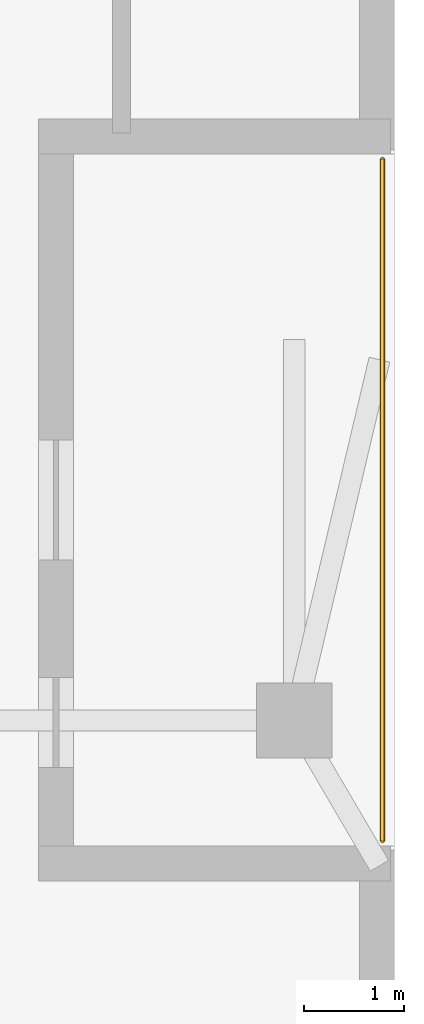
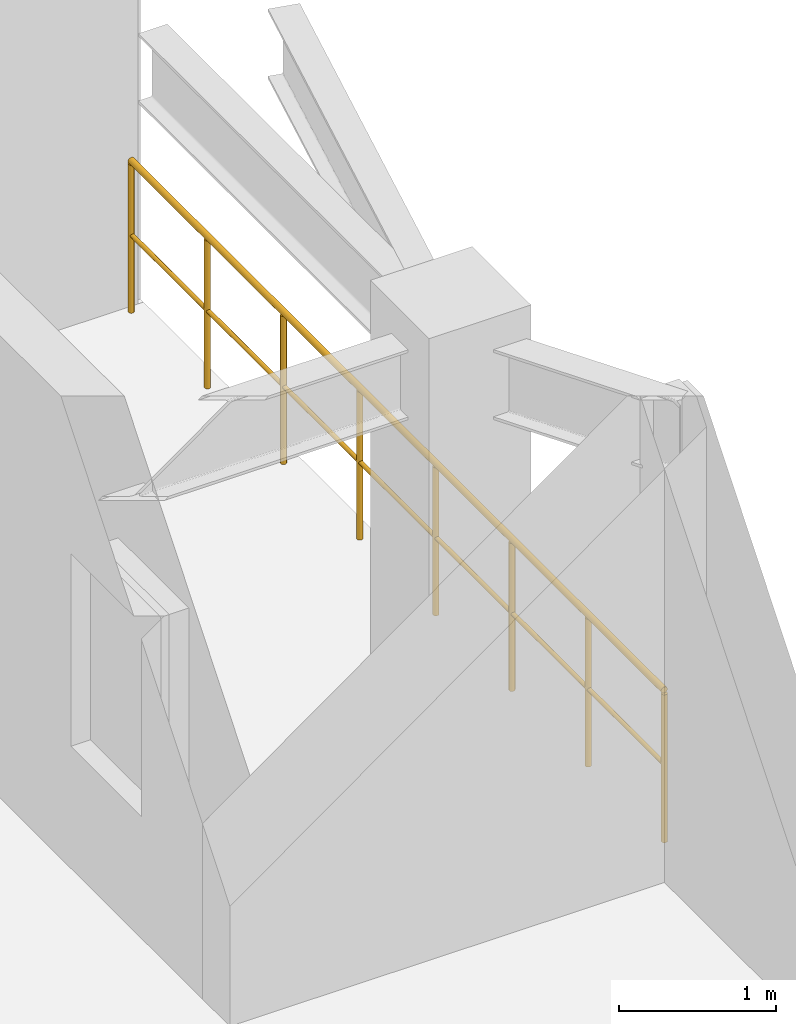
# One storey, part 11 of 11: 1 railing.
"""IFC4 building model written with IfcOpenShell, lengths in metres."""

from ifc_helpers import new_model, si_unit, direction, frame, origin, origin_2d, place, context, subcontext, project, spatial, circle, extrude, material, type_object, element, save


model = new_model("IFC4")

# Units and contexts
model_context = context("Model", 3, precision=1e-05, world=origin(), true_north=direction((0.0, 1.0)))
body_context = subcontext(model_context, "Body", "Model", "MODEL_VIEW")
ifc_project = project(units=[si_unit("LENGTHUNIT", "METRE"), si_unit("AREAUNIT", "SQUARE_METRE"), si_unit("VOLUMEUNIT", "CUBIC_METRE"), si_unit("PLANEANGLEUNIT", "RADIAN"), si_unit("MASSUNIT", "GRAM", prefix="KILO")], contexts=[model_context])

# Site, building, storey
site_placement = place(None, origin())
site = spatial("IfcSite", under=ifc_project, at=site_placement, CompositionType="ELEMENT")
building_placement = place(site_placement, origin())
building = spatial("IfcBuilding", under=site, at=building_placement, Name="Ventersveld Concourse Tower", CompositionType="ELEMENT")
storey_placement = place(building_placement, frame((0.0, 0.0, 111.85009765625)))
storey = spatial("IfcBuildingStorey", under=building, at=storey_placement, Name="L27", CompositionType="ELEMENT", Elevation=111.85009765625)

# Railing
ifc_material = material(Name="Brushed stainless steel 316", Category="steel")
railing_type = type_object("IfcRailingType", Name="GD-TER-120", PredefinedType="GUARDRAIL", material=ifc_material)
railing_placement = place(storey_placement, frame((54.780029296875, 22.39990234375, 0.0)))
element("IfcRailing", 1, at=railing_placement, inside=storey, type_object=railing_type, Name="L27 Outdoor Terrace Guardrail NOTCH-E", PredefinedType="GUARDRAIL", context=body_context, shape_type="SweptSolid", body=[
    extrude(circle(Radius=0.02392578125, at=origin_2d()), frame((0.0, 0.0, 1.17578125), z_axis=(0.0, 1.0, 0.0), x_axis=(-1.0, 0.0, 0.0)), (0.0, 0.0, 1.0), 6.800048828125),
    extrude(circle(Radius=0.01611328125, at=origin_2d()), frame((0.0, 0.0, 0.60009765625), z_axis=(0.0, 1.0, 0.0), x_axis=(-1.0, 0.0, 0.0)), (0.0, 0.0, 1.0), 6.800048828125),
    extrude(circle(Radius=0.02099609375, at=origin_2d()), origin(), (0.0, 0.0, 1.0), 1.15185546875),
    extrude(circle(Radius=0.02099609375, at=origin_2d()), frame((0.0, 0.971435546875, 0.0)), (0.0, 0.0, 1.0), 1.15185546875),
    extrude(circle(Radius=0.02099609375, at=origin_2d()), frame((0.0, 1.94287109375, 0.0)), (0.0, 0.0, 1.0), 1.15185546875),
    extrude(circle(Radius=0.02099609375, at=origin_2d()), frame((0.0, 2.914306640625, 0.0)), (0.0, 0.0, 1.0), 1.15185546875),
    extrude(circle(Radius=0.02099609375, at=origin_2d()), frame((0.0, 3.8857421875, 0.0)), (0.0, 0.0, 1.0), 1.15185546875),
    extrude(circle(Radius=0.02099609375, at=origin_2d()), frame((0.0, 4.857177734375, 0.0)), (0.0, 0.0, 1.0), 1.15185546875),
    extrude(circle(Radius=0.02099609375, at=origin_2d()), frame((0.0, 5.82861328125, 0.0)), (0.0, 0.0, 1.0), 1.15185546875),
    extrude(circle(Radius=0.02099609375, at=origin_2d()), frame((0.0, 6.800048828125, 0.0)), (0.0, 0.0, 1.0), 1.15185546875),
])

save(model, "model.ifc")
